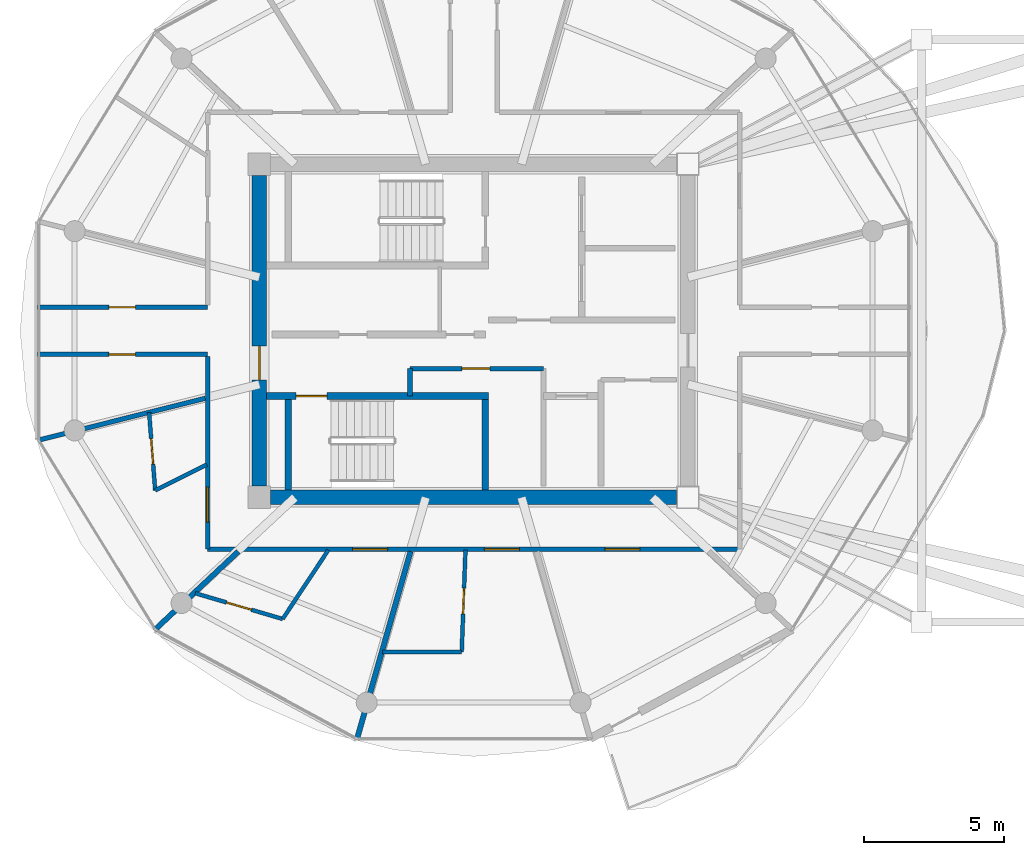
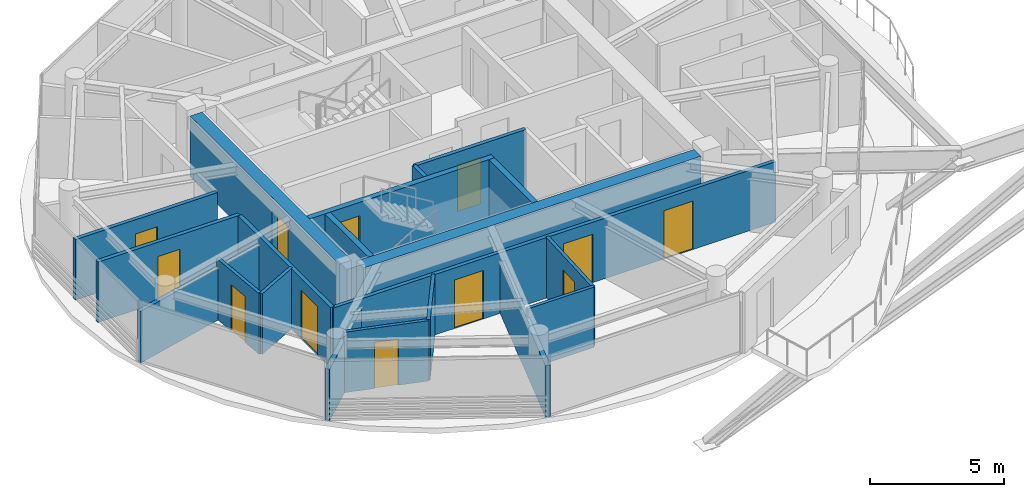
# One storey, part 13 of 23: 20 walls, 12 doors, 12 openings.
"""IFC4 building model written with IfcOpenShell, lengths in metres."""

from ifc_helpers import new_model, si_unit, direction, frame, frame_2d, origin, place, context, subcontext, project, spatial, rectangle, extrude, source, transform, mapped, material, layer, layer_set, type_object, type_shapes, element, fill, save


model = new_model("IFC4")

# Units and contexts
model_context = context("Model", 3, precision=1e-05, world=origin(), true_north=direction((0.0, 1.0)))
body_context = subcontext(model_context, "Body", "Model", "MODEL_VIEW")
ifc_project = project(units=[si_unit("LENGTHUNIT", "METRE"), si_unit("AREAUNIT", "SQUARE_METRE"), si_unit("VOLUMEUNIT", "CUBIC_METRE"), si_unit("PLANEANGLEUNIT", "RADIAN"), si_unit("MASSUNIT", "GRAM", prefix="KILO")], contexts=[model_context])

# Site, building, storey
site_placement = place(None, origin())
site = spatial("IfcSite", under=ifc_project, at=site_placement, CompositionType="ELEMENT")
building_placement = place(site_placement, origin())
building = spatial("IfcBuilding", under=site, at=building_placement, Name="Norrkilde Senior Care Towers", CompositionType="ELEMENT")
storey_placement = place(building_placement, frame((0.0, 0.0, 196.75)))
storey = spatial("IfcBuildingStorey", under=building, at=storey_placement, Name="L61", CompositionType="ELEMENT", Elevation=196.75)

# Wall
ifc_material_1 = material(Name="Concrete C50/60", Category="concrete")
ifc_layer_1 = layer(ifc_material_1, 0.52001953125)
ifc_layer_set_1 = layer_set([ifc_layer_1], Name="Concrete C50/60")
wall_type_1 = type_object("IfcWallType", Name="Core Shear Wall Z4 520", PredefinedType="SHEAR", material=ifc_layer_set_1)
shared_shape_1 = source(origin(), body_context, "Body", "SweptSolid", [
    extrude(rectangle(XDim=14.5, YDim=0.52001953125, at=frame_2d((7.25, 0.0))), origin(), (0.0, 0.0, 1.0), 2.760009765625),
])
wall_1_placement = place(storey_placement, frame((-20.75, -5.949951171875, 0.0), z_axis=(0.0, 0.0, 1.0), x_axis=(-1.0, 0.0, 0.0)))
element("IfcWall", 1, at=wall_1_placement, inside=storey, type_object=wall_type_1, Name="L61 Core W South Shear Wall", PredefinedType="SHEAR", context=body_context, shape_type="MappedRepresentation", body=[
    mapped(shared_shape_1, transform((0.0, 0.0, 0.0), x_axis=(1.0, 0.0, 0.0), y_axis=(0.0, 1.0, 0.0), z_axis=(0.0, 0.0, 1.0), scale=1.0)),
])

# Wall, opening, door
shared_shape_2 = source(origin(), body_context, "Body", "SweptSolid", [
    extrude(rectangle(XDim=11.10009765625, YDim=0.52001953125, at=frame_2d((5.550048828125, 0.0))), origin(), (0.0, 0.0, 1.0), 2.760009765625),
])
type_shapes(wall_type_1, [shared_shape_1, shared_shape_2])
wall_2_placement = place(storey_placement, frame((-35.64990234375, -5.550048828125, 0.0), z_axis=(0.0, 0.0, 1.0), x_axis=(0.0, 1.0, 0.0)))
wall_2 = element("IfcWall", 2, at=wall_2_placement, inside=storey, type_object=wall_type_1, Name="L61 Core W West Shear Wall", PredefinedType="SHEAR", context=body_context, shape_type="MappedRepresentation", body=[
    mapped(shared_shape_2, transform((0.0, 0.0, 0.0), x_axis=(1.0, 0.0, 0.0), y_axis=(0.0, 1.0, 0.0), z_axis=(0.0, 0.0, 1.0), scale=1.0)),
])
opening_1_placement = place(wall_2_placement, frame((3.800048828125, 0.0, 0.0)))
opening_1 = element("IfcOpeningElement", 3, at=opening_1_placement, cuts=wall_2, Name="Opening D-04", PredefinedType="OPENING", context=body_context, shape_type="SweptSolid", body=[
    extrude(rectangle(XDim=1.199951171875, YDim=2.14990234375, at=frame_2d((0.60009765625, 1.074951171875))), frame((0.0, 0.27001953125, 0.0), z_axis=(0.0, -1.0, 0.0), x_axis=(1.0, 0.0, 0.0)), (0.0, 0.0, 1.0), 0.5400390625),
])
ifc_material_2 = material(Name="Galvanised Painted Steel", Category="steel")
door_type_1 = type_object("IfcDoorType", Name="Firefighting Lobby Fire Door 1200x2150", OperationType="NOTDEFINED", PredefinedType="DOOR", material=ifc_material_2)
shared_shape_3 = source(origin(), body_context, "Body", "SweptSolid", [
    extrude(rectangle(XDim=1.199951171875, YDim=2.14990234375, at=frame_2d((0.60009765625, 1.074951171875))), frame((0.0, 0.02490234375, 0.0), z_axis=(0.0, -1.0, 0.0), x_axis=(1.0, 0.0, 0.0)), (0.0, 0.0, 1.0), 0.050048828125),
])
type_shapes(door_type_1, [shared_shape_3])
door_1_placement = place(opening_1_placement, frame((1.199951171875, 0.0, 0.0), z_axis=(0.0, 0.0, 1.0), x_axis=(-1.0, 0.0, 0.0)))
door_1 = element("IfcDoor", 4, at=door_1_placement, inside=storey, type_object=door_type_1, Name="L61 Core W West Portal Door", OperationType="SINGLE_SWING_LEFT", OverallHeight=2.14990234375, OverallWidth=1.199951171875, PredefinedType="DOOR", context=body_context, shape_type="MappedRepresentation", body=[
    mapped(shared_shape_3, transform((0.0, 0.0, 0.0), x_axis=(1.0, 0.0, 0.0), y_axis=(0.0, 1.0, 0.0), z_axis=(0.0, 0.0, 1.0), scale=1.0)),
])
fill(opening_1, door_1)

ifc_material_3 = material(Name="Concrete C45/55", Category="concrete")
ifc_layer_2 = layer(ifc_material_3, 0.239990234375)
ifc_layer_set_2 = layer_set([ifc_layer_2], Name="Concrete C45/55")
wall_type_2 = type_object("IfcWallType", Name="Shaft and Stair Enclosure Wall 240", PredefinedType="PARTITIONING", material=ifc_layer_set_2)
shared_shape_4 = source(origin(), body_context, "Body", "SweptSolid", [
    extrude(rectangle(XDim=7.929931640625, YDim=0.239990234375, at=frame_2d((3.96484375, 0.0))), origin(), (0.0, 0.0, 1.0), 2.760009765625),
])
wall_3_placement = place(storey_placement, frame((-35.389892578125, -2.330078125, 0.0), z_axis=(0.0, 0.0, 1.0), x_axis=(1.0, 0.0, 0.0)))
wall_3 = element("IfcWall", 5, at=wall_3_placement, inside=storey, type_object=wall_type_2, Name="WL-INT-L61-W-ST2N", PredefinedType="PARTITIONING", context=body_context, shape_type="MappedRepresentation", body=[
    mapped(shared_shape_4, transform((0.0, 0.0, 0.0), x_axis=(1.0, 0.0, 0.0), y_axis=(0.0, 1.0, 0.0), z_axis=(0.0, 0.0, 1.0), scale=1.0)),
])
opening_2_placement = place(wall_3_placement, frame((1.050048828125, 0.0, 0.0)))
opening_2 = element("IfcOpeningElement", 6, at=opening_2_placement, cuts=wall_3, Name="Opening D-03", PredefinedType="OPENING", context=body_context, shape_type="SweptSolid", body=[
    extrude(rectangle(XDim=1.10009765625, YDim=2.14990234375, at=frame_2d((0.550048828125, 1.074951171875))), frame((0.0, 0.1298828125, 0.0), z_axis=(0.0, -1.0, 0.0), x_axis=(1.0, 0.0, 0.0)), (0.0, 0.0, 1.0), 0.260009765625),
])
door_type_2 = type_object("IfcDoorType", Name="Stairwell Protected Fire Door 1100x2150", OperationType="NOTDEFINED", PredefinedType="DOOR", material=ifc_material_2)
shared_shape_5 = source(origin(), body_context, "Body", "SweptSolid", [
    extrude(rectangle(XDim=1.10009765625, YDim=2.14990234375, at=frame_2d((0.550048828125, 1.074951171875))), frame((0.0, 0.02490234375, 0.0), z_axis=(0.0, -1.0, 0.0), x_axis=(1.0, 0.0, 0.0)), (0.0, 0.0, 1.0), 0.050048828125),
])
type_shapes(door_type_2, [shared_shape_5])
door_2_placement = place(opening_2_placement, frame((1.10009765625, 0.0, 0.0), z_axis=(0.0, 0.0, 1.0), x_axis=(-1.0, 0.0, 0.0)))
door_2 = element("IfcDoor", 7, at=door_2_placement, inside=storey, type_object=door_type_2, Name="L61 Stair W2 Fire Door", OperationType="SINGLE_SWING_RIGHT", OverallHeight=2.14990234375, OverallWidth=1.10009765625, PredefinedType="DOOR", context=body_context, shape_type="MappedRepresentation", body=[
    mapped(shared_shape_5, transform((0.0, 0.0, 0.0), x_axis=(1.0, 0.0, 0.0), y_axis=(0.0, 1.0, 0.0), z_axis=(0.0, 0.0, 1.0), scale=1.0)),
])
fill(opening_2, door_2)

# Walls
shared_shape_6 = source(origin(), body_context, "Body", "SweptSolid", [
    extrude(rectangle(XDim=3.239990234375, YDim=0.239990234375, at=frame_2d((1.6201171875, 0.0))), origin(), (0.0, 0.0, 1.0), 2.760009765625),
])
type_shapes(wall_type_2, [shared_shape_4, shared_shape_6])
for number, where, z_axis, x_axis, name in (
    (8, (-34.6201171875, -5.68994140625, 0.0), (0.0, 0.0, 1.0), (0.0, 1.0, 0.0), "WL-INT-L61-W-ST2W"),
    (9, (-27.580078125, -5.68994140625, 0.0), (0.0, 0.0, 1.0), (0.0, 1.0, 0.0), "WL-INT-L61-W-ST2E"),
):
    element("IfcWall", number, at=place(storey_placement, frame(where, z_axis=z_axis, x_axis=x_axis)), inside=storey, type_object=wall_type_2, Name=name, PredefinedType="PARTITIONING", context=body_context, shape_type="MappedRepresentation", body=[
        mapped(shared_shape_6, transform((0.0, 0.0, 0.0), x_axis=(1.0, 0.0, 0.0), y_axis=(0.0, 1.0, 0.0), z_axis=(0.0, 0.0, 1.0), scale=1.0)),
    ])

# Wall, opening, door
ifc_material_4 = material(Name="Gypsum Acoustic Board")
ifc_layer_3 = layer(ifc_material_4, 0.1650390625)
ifc_layer_set_3 = layer_set([ifc_layer_3], Name="Gypsum Acoustic Board")
wall_type_3 = type_object("IfcWallType", Name="Corridor Rated Partition 165", PredefinedType="PARTITIONING", material=ifc_layer_set_3)
shared_shape_7 = source(origin(), body_context, "Body", "SweptSolid", [
    extrude(rectangle(XDim=4.77001953125, YDim=0.1650390625, at=frame_2d((2.385009765625, 0.0))), origin(), (0.0, 0.0, 1.0), 2.7451171875),
])
wall_4_placement = place(storey_placement, frame((-30.27001953125, -1.35009765625, 0.0), z_axis=(0.0, 0.0, 1.0), x_axis=(1.0, 0.0, 0.0)))
wall_4 = element("IfcWall", 10, at=wall_4_placement, inside=storey, type_object=wall_type_3, Name="WL-INT-L61-W-FR2N", PredefinedType="PARTITIONING", context=body_context, shape_type="MappedRepresentation", body=[
    mapped(shared_shape_7, transform((0.0, 0.0, 0.0), x_axis=(1.0, 0.0, 0.0), y_axis=(0.0, 1.0, 0.0), z_axis=(0.0, 0.0, 1.0), scale=1.0)),
])
opening_3_placement = place(wall_4_placement, frame((1.85009765625, 0.0, 0.0)))
opening_3 = element("IfcOpeningElement", 11, at=opening_3_placement, cuts=wall_4, Name="Opening D-10", PredefinedType="OPENING", context=body_context, shape_type="SweptSolid", body=[
    extrude(rectangle(XDim=1.0, YDim=2.10009765625, at=frame_2d((0.5, 1.050048828125))), frame((0.0, 0.092529296875, 0.0), z_axis=(0.0, -1.0, 0.0), x_axis=(1.0, 0.0, 0.0)), (0.0, 0.0, 1.0), 0.18505859375),
])
door_type_3 = type_object("IfcDoorType", Name="Plant and Riser Rated Door 1000x2100", OperationType="NOTDEFINED", PredefinedType="DOOR", material=ifc_material_2)
shared_shape_8 = source(origin(), body_context, "Body", "SweptSolid", [
    extrude(rectangle(XDim=1.0, YDim=2.10009765625, at=frame_2d((0.5, 1.050048828125))), frame((0.0, 0.02490234375, 0.0), z_axis=(0.0, -1.0, 0.0), x_axis=(1.0, 0.0, 0.0)), (0.0, 0.0, 1.0), 0.050048828125),
])
type_shapes(door_type_3, [shared_shape_8])
door_3_placement = place(opening_3_placement, origin())
door_3 = element("IfcDoor", 12, at=door_3_placement, inside=storey, type_object=door_type_3, Name="L61 Core Pantry W Door", OperationType="SINGLE_SWING_RIGHT", OverallHeight=2.10009765625, OverallWidth=1.0, PredefinedType="DOOR", context=body_context, shape_type="MappedRepresentation", body=[
    mapped(shared_shape_8, transform((0.0, 0.0, 0.0), x_axis=(1.0, 0.0, 0.0), y_axis=(0.0, 1.0, 0.0), z_axis=(0.0, 0.0, 1.0), scale=1.0)),
])
fill(opening_3, door_3)

# Wall
shared_shape_9 = source(origin(), body_context, "Body", "SweptSolid", [
    extrude(rectangle(XDim=0.97998046875, YDim=0.1650390625, at=frame_2d((0.489990234375, 0.0))), origin(), (0.0, 0.0, 1.0), 2.7451171875),
])
wall_5_placement = place(storey_placement, frame((-30.27001953125, -2.330078125, 0.0), z_axis=(0.0, 0.0, 1.0), x_axis=(0.0, 1.0, 0.0)))
element("IfcWall", 13, at=wall_5_placement, inside=storey, type_object=wall_type_3, Name="WL-INT-L61-W-FR2W", PredefinedType="PARTITIONING", context=body_context, shape_type="MappedRepresentation", body=[
    mapped(shared_shape_9, transform((0.0, 0.0, 0.0), x_axis=(1.0, 0.0, 0.0), y_axis=(0.0, 1.0, 0.0), z_axis=(0.0, 0.0, 1.0), scale=1.0)),
])

# Wall, openings, doors
shared_shape_10 = source(origin(), body_context, "Body", "SweptSolid", [
    extrude(rectangle(XDim=19.0, YDim=0.1650390625, at=frame_2d((9.5, 0.0))), origin(), (0.0, 0.0, 1.0), 2.7451171875),
])
wall_6_placement = place(storey_placement, frame((-18.5, -7.800048828125, 0.0), z_axis=(0.0, 0.0, 1.0), x_axis=(-1.0, 0.0, 0.0)))
wall_6 = element("IfcWall", 14, at=wall_6_placement, inside=storey, type_object=wall_type_3, Name="WL-INT-L61-W-CRW-S-0", PredefinedType="PARTITIONING", context=body_context, shape_type="MappedRepresentation", body=[
    mapped(shared_shape_10, transform((0.0, 0.0, 0.0), x_axis=(1.0, 0.0, 0.0), y_axis=(0.0, 1.0, 0.0), z_axis=(0.0, 0.0, 1.0), scale=1.0)),
])
opening_4_placement = place(wall_6_placement, frame((12.56884765625, 0.0, 0.0)))
opening_4 = element("IfcOpeningElement", 15, at=opening_4_placement, cuts=wall_6, Name="Opening D-05", PredefinedType="OPENING", context=body_context, shape_type="SweptSolid", body=[
    extrude(rectangle(XDim=1.25, YDim=2.199951171875, at=frame_2d((0.625, 1.10009765625))), frame((0.0, 0.092529296875, 0.0), z_axis=(0.0, -1.0, 0.0), x_axis=(1.0, 0.0, 0.0)), (0.0, 0.0, 1.0), 0.18505859375),
])
opening_5_placement = place(wall_6_placement, frame((7.868408203125, 0.0, 0.0)))
opening_5 = element("IfcOpeningElement", 16, at=opening_5_placement, cuts=wall_6, Name="Opening D-05", PredefinedType="OPENING", context=body_context, shape_type="SweptSolid", body=[
    extrude(rectangle(XDim=1.25, YDim=2.199951171875, at=frame_2d((0.625, 1.10009765625))), frame((0.0, 0.092529296875, 0.0), z_axis=(0.0, -1.0, 0.0), x_axis=(1.0, 0.0, 0.0)), (0.0, 0.0, 1.0), 0.18505859375),
])
opening_6_placement = place(wall_6_placement, frame((3.55859375, 0.0, 0.0)))
opening_6 = element("IfcOpeningElement", 17, at=opening_6_placement, cuts=wall_6, Name="Opening D-05", PredefinedType="OPENING", context=body_context, shape_type="SweptSolid", body=[
    extrude(rectangle(XDim=1.25, YDim=2.199951171875, at=frame_2d((0.625, 1.10009765625))), frame((0.0, 0.092529296875, 0.0), z_axis=(0.0, -1.0, 0.0), x_axis=(1.0, 0.0, 0.0)), (0.0, 0.0, 1.0), 0.18505859375),
])
ifc_material_5 = material(Name="Nordic Ash Timber", Category="wood")
door_type_4 = type_object("IfcDoorType", Name="Care Bedroom Bariatric Door 1250x2200", OperationType="NOTDEFINED", PredefinedType="DOOR", material=ifc_material_5)
shared_shape_11 = source(origin(), body_context, "Body", "SweptSolid", [
    extrude(rectangle(XDim=1.25, YDim=2.199951171875, at=frame_2d((0.625, 1.10009765625))), frame((0.0, 0.02490234375, 0.0), z_axis=(0.0, -1.0, 0.0), x_axis=(1.0, 0.0, 0.0)), (0.0, 0.0, 1.0), 0.050048828125),
])
type_shapes(door_type_4, [shared_shape_11])
door_4_placement = place(opening_4_placement, frame((1.25, 0.0, 0.0), z_axis=(0.0, 0.0, 1.0), x_axis=(-1.0, 0.0, 0.0)))
door_4 = element("IfcDoor", 18, at=door_4_placement, inside=storey, type_object=door_type_4, Name="L61 Care Suite 6107 Entrance Door", OperationType="SINGLE_SWING_RIGHT", OverallHeight=2.199951171875, OverallWidth=1.25, PredefinedType="DOOR", context=body_context, shape_type="MappedRepresentation", body=[
    mapped(shared_shape_11, transform((0.0, 0.0, 0.0), x_axis=(1.0, 0.0, 0.0), y_axis=(0.0, 1.0, 0.0), z_axis=(0.0, 0.0, 1.0), scale=1.0)),
])
fill(opening_4, door_4)
door_5_placement = place(opening_5_placement, frame((1.25, 0.0, 0.0), z_axis=(0.0, 0.0, 1.0), x_axis=(-1.0, 0.0, 0.0)))
door_5 = element("IfcDoor", 19, at=door_5_placement, inside=storey, type_object=door_type_4, Name="L61 Care Suite 6108 Entrance Door", OperationType="SINGLE_SWING_LEFT", OverallHeight=2.199951171875, OverallWidth=1.25, PredefinedType="DOOR", context=body_context, shape_type="MappedRepresentation", body=[
    mapped(shared_shape_11, transform((0.0, 0.0, 0.0), x_axis=(1.0, 0.0, 0.0), y_axis=(0.0, 1.0, 0.0), z_axis=(0.0, 0.0, 1.0), scale=1.0)),
])
fill(opening_5, door_5)
door_6_placement = place(opening_6_placement, frame((1.25, 0.0, 0.0), z_axis=(0.0, 0.0, 1.0), x_axis=(-1.0, 0.0, 0.0)))
door_6 = element("IfcDoor", 20, at=door_6_placement, inside=storey, type_object=door_type_4, Name="L61 Household Therapeutic Kitchen Door", OperationType="SINGLE_SWING_RIGHT", OverallHeight=2.199951171875, OverallWidth=1.25, PredefinedType="DOOR", context=body_context, shape_type="MappedRepresentation", body=[
    mapped(shared_shape_11, transform((0.0, 0.0, 0.0), x_axis=(1.0, 0.0, 0.0), y_axis=(0.0, 1.0, 0.0), z_axis=(0.0, 0.0, 1.0), scale=1.0)),
])
fill(opening_6, door_6)

# Wall, opening, door
shared_shape_12 = source(origin(), body_context, "Body", "SweptSolid", [
    extrude(rectangle(XDim=6.880126953125, YDim=0.1650390625, at=frame_2d((3.43994140625, 0.0))), origin(), (0.0, 0.0, 1.0), 2.7451171875),
])
wall_7_placement = place(storey_placement, frame((-37.5, -7.800048828125, 0.0), z_axis=(0.0, 0.0, 1.0), x_axis=(0.0, 1.0, 0.0)))
wall_7 = element("IfcWall", 21, at=wall_7_placement, inside=storey, type_object=wall_type_3, Name="WL-INT-L61-W-CRW-W-0", PredefinedType="PARTITIONING", context=body_context, shape_type="MappedRepresentation", body=[
    mapped(shared_shape_12, transform((0.0, 0.0, 0.0), x_axis=(1.0, 0.0, 0.0), y_axis=(0.0, 1.0, 0.0), z_axis=(0.0, 0.0, 1.0), scale=1.0)),
])
opening_7_placement = place(wall_7_placement, frame((0.96826171875, 0.0, 0.0)))
opening_7 = element("IfcOpeningElement", 22, at=opening_7_placement, cuts=wall_7, Name="Opening D-05", PredefinedType="OPENING", context=body_context, shape_type="SweptSolid", body=[
    extrude(rectangle(XDim=1.25, YDim=2.199951171875, at=frame_2d((0.625, 1.10009765625))), frame((0.0, 0.092529296875, 0.0), z_axis=(0.0, -1.0, 0.0), x_axis=(1.0, 0.0, 0.0)), (0.0, 0.0, 1.0), 0.18505859375),
])
door_7_placement = place(opening_7_placement, frame((1.25, 0.0, 0.0), z_axis=(0.0, 0.0, 1.0), x_axis=(-1.0, 0.0, 0.0)))
door_7 = element("IfcDoor", 23, at=door_7_placement, inside=storey, type_object=door_type_4, Name="L61 Care Suite 6106 Entrance Door", OperationType="SINGLE_SWING_LEFT", OverallHeight=2.199951171875, OverallWidth=1.25, PredefinedType="DOOR", context=body_context, shape_type="MappedRepresentation", body=[
    mapped(shared_shape_11, transform((0.0, 0.0, 0.0), x_axis=(1.0, 0.0, 0.0), y_axis=(0.0, 1.0, 0.0), z_axis=(0.0, 0.0, 1.0), scale=1.0)),
])
fill(opening_7, door_7)

# Wall
shared_shape_13 = source(origin(), body_context, "Body", "SweptSolid", [
    extrude(rectangle(XDim=6.1572265625, YDim=0.1650390625, at=frame_2d((3.07861328125, 0.0))), origin(), (0.0, 0.0, 1.0), 2.344970703125),
])
wall_8_placement = place(storey_placement, frame((-37.580078125, -2.407470703125, 0.0), z_axis=(0.0, 0.0, 1.0), x_axis=(-0.969840867184, -0.243738984038, 0.0)))
element("IfcWall", 24, at=wall_8_placement, inside=storey, type_object=wall_type_3, Name="WL-INT-L61-W-DEM-06-0", PredefinedType="PARTITIONING", context=body_context, shape_type="MappedRepresentation", body=[
    mapped(shared_shape_13, transform((0.0, 0.0, 0.0), x_axis=(1.0, 0.0, 0.0), y_axis=(0.0, 1.0, 0.0), z_axis=(0.0, 0.0, 1.0), scale=1.0)),
])

# Wall, opening, door
shared_shape_14 = source(origin(), body_context, "Body", "SweptSolid", [
    extrude(rectangle(XDim=6.101318359375, YDim=0.1650390625, at=frame_2d((3.05078125, 0.0))), origin(), (0.0, 0.0, 1.0), 2.7451171875),
])
type_shapes(wall_type_3, [shared_shape_7, shared_shape_9, shared_shape_10, shared_shape_12, shared_shape_13, shared_shape_14])
wall_9_placement = place(storey_placement, frame((-43.601318359375, 0.840087890625, 0.0), z_axis=(0.0, 0.0, 1.0), x_axis=(1.0, 0.0, 0.0)))
wall_9 = element("IfcWall", 25, at=wall_9_placement, inside=storey, type_object=wall_type_3, Name="WL-INT-L61-W-SPK-W1-0", PredefinedType="PARTITIONING", context=body_context, shape_type="MappedRepresentation", body=[
    mapped(shared_shape_14, transform((0.0, 0.0, 0.0), x_axis=(1.0, 0.0, 0.0), y_axis=(0.0, 1.0, 0.0), z_axis=(0.0, 0.0, 1.0), scale=1.0)),
])
opening_8_placement = place(wall_9_placement, frame((2.57568359375, 0.0, 0.0)))
opening_8 = element("IfcOpeningElement", 26, at=opening_8_placement, cuts=wall_9, Name="Opening D-07", PredefinedType="OPENING", context=body_context, shape_type="SweptSolid", body=[
    extrude(rectangle(XDim=0.949951171875, YDim=2.10009765625, at=frame_2d((0.47509765625, 1.050048828125))), frame((0.0, 0.092529296875, 0.0), z_axis=(0.0, -1.0, 0.0), x_axis=(1.0, 0.0, 0.0)), (0.0, 0.0, 1.0), 0.18505859375),
])
door_type_5 = type_object("IfcDoorType", Name="Internal Suite Bedroom Door 950x2100", OperationType="NOTDEFINED", PredefinedType="DOOR", material=ifc_material_5)
shared_shape_15 = source(origin(), body_context, "Body", "SweptSolid", [
    extrude(rectangle(XDim=0.949951171875, YDim=2.10009765625, at=frame_2d((0.47509765625, 1.050048828125))), frame((0.0, 0.02490234375, 0.0), z_axis=(0.0, -1.0, 0.0), x_axis=(1.0, 0.0, 0.0)), (0.0, 0.0, 1.0), 0.050048828125),
])
type_shapes(door_type_5, [shared_shape_15])
door_8_placement = place(opening_8_placement, frame((0.949951171875, 0.0, 0.0), z_axis=(0.0, 0.0, 1.0), x_axis=(-1.0, 0.0, 0.0)))
door_8 = element("IfcDoor", 27, at=door_8_placement, inside=storey, type_object=door_type_5, Name="L61 Sun Reading Lounge 2 Door", OperationType="SINGLE_SWING_LEFT", OverallHeight=2.10009765625, OverallWidth=0.949951171875, PredefinedType="DOOR", context=body_context, shape_type="MappedRepresentation", body=[
    mapped(shared_shape_15, transform((0.0, 0.0, 0.0), x_axis=(1.0, 0.0, 0.0), y_axis=(0.0, 1.0, 0.0), z_axis=(0.0, 0.0, 1.0), scale=1.0)),
])
fill(opening_8, door_8)

wall_10_placement = place(storey_placement, frame((-37.5, -0.840087890625, 0.0), z_axis=(0.0, 0.0, 1.0), x_axis=(-1.0, 0.0, 0.0)))
wall_10 = element("IfcWall", 28, at=wall_10_placement, inside=storey, type_object=wall_type_3, Name="WL-INT-L61-W-SPK-W2-0", PredefinedType="PARTITIONING", context=body_context, shape_type="MappedRepresentation", body=[
    mapped(shared_shape_14, transform((0.0, 0.0, 0.0), x_axis=(1.0, 0.0, 0.0), y_axis=(0.0, 1.0, 0.0), z_axis=(0.0, 0.0, 1.0), scale=1.0)),
])
opening_9_placement = place(wall_10_placement, frame((2.57568359375, 0.0, 0.0)))
opening_9 = element("IfcOpeningElement", 29, at=opening_9_placement, cuts=wall_10, Name="Opening D-07", PredefinedType="OPENING", context=body_context, shape_type="SweptSolid", body=[
    extrude(rectangle(XDim=0.949951171875, YDim=2.10009765625, at=frame_2d((0.47509765625, 1.050048828125))), frame((0.0, 0.092529296875, 0.0), z_axis=(0.0, -1.0, 0.0), x_axis=(1.0, 0.0, 0.0)), (0.0, 0.0, 1.0), 0.18505859375),
])
door_9_placement = place(opening_9_placement, frame((0.949951171875, 0.0, 0.0), z_axis=(0.0, 0.0, 1.0), x_axis=(-1.0, 0.0, 0.0)))
door_9 = element("IfcDoor", 30, at=door_9_placement, inside=storey, type_object=door_type_5, Name="L61 Sun Reading Lounge 1 Door", OperationType="SINGLE_SWING_RIGHT", OverallHeight=2.10009765625, OverallWidth=0.949951171875, PredefinedType="DOOR", context=body_context, shape_type="MappedRepresentation", body=[
    mapped(shared_shape_15, transform((0.0, 0.0, 0.0), x_axis=(1.0, 0.0, 0.0), y_axis=(0.0, 1.0, 0.0), z_axis=(0.0, 0.0, 1.0), scale=1.0)),
])
fill(opening_9, door_9)

# Walls
ifc_layer_4 = layer(ifc_material_4, 0.18994140625)
ifc_layer_set_4 = layer_set([ifc_layer_4], Name="Gypsum Acoustic Board")
wall_type_4 = type_object("IfcWallType", Name="Unit Demising Acoustic Wall 190", PredefinedType="PARTITIONING", material=ifc_layer_set_4)
shared_shape_16 = source(origin(), body_context, "Body", "SweptSolid", [
    extrude(rectangle(XDim=4.089111328125, YDim=0.18994140625, at=frame_2d((2.04443359375, 0.0))), origin(), (0.0, 0.0, 1.0), 2.344970703125),
])
wall_11_placement = place(storey_placement, frame((-36.40185546875, -7.8798828125, 0.0), z_axis=(0.0, 0.0, 1.0), x_axis=(-0.729401273609, -0.684086092577, 0.0)))
element("IfcWall", 31, at=wall_11_placement, inside=storey, type_object=wall_type_4, Name="WL-INT-L61-W-DEM-07-0", PredefinedType="PARTITIONING", context=body_context, shape_type="MappedRepresentation", body=[
    mapped(shared_shape_16, transform((0.0, 0.0, 0.0), x_axis=(1.0, 0.0, 0.0), y_axis=(0.0, 1.0, 0.0), z_axis=(0.0, 0.0, 1.0), scale=1.0)),
])
ifc_layer_5 = layer(ifc_material_4, 0.139892578125)
ifc_layer_set_5 = layer_set([ifc_layer_5], Name="Gypsum Acoustic Board")
wall_type_5 = type_object("IfcWallType", Name="En-suite Wet Room Wall 140", PredefinedType="PARTITIONING", material=ifc_layer_set_5)
shared_shape_17 = source(origin(), body_context, "Body", "SweptSolid", [
    extrude(rectangle(XDim=2.059814453125, YDim=0.139892578125, at=frame_2d((1.02978515625, 0.0))), origin(), (0.0, 0.0, 1.0), 2.7451171875),
])
wall_12_placement = place(storey_placement, frame((-37.530029296875, -4.7783203125, 0.0), z_axis=(0.0, 0.0, 1.0), x_axis=(-0.893952568722, -0.448161583444, 0.0)))
element("IfcWall", 32, at=wall_12_placement, inside=storey, type_object=wall_type_5, Name="WL-INT-L61-W-ES-06", PredefinedType="PARTITIONING", context=body_context, shape_type="MappedRepresentation", body=[
    mapped(shared_shape_17, transform((0.0, 0.0, 0.0), x_axis=(1.0, 0.0, 0.0), y_axis=(0.0, 1.0, 0.0), z_axis=(0.0, 0.0, 1.0), scale=1.0)),
])

# Wall, opening, door
shared_shape_18 = source(origin(), body_context, "Body", "SweptSolid", [
    extrude(rectangle(XDim=2.79833984375, YDim=0.139892578125, at=frame_2d((1.399169921875, 0.0))), origin(), (0.0, 0.0, 1.0), 2.7451171875),
])
wall_13_placement = place(storey_placement, frame((-39.371337890625, -5.701416015625, 0.0), z_axis=(0.0, 0.0, 1.0), x_axis=(-0.077823984089, 0.996967114553, 0.0)))
wall_13 = element("IfcWall", 33, at=wall_13_placement, inside=storey, type_object=wall_type_5, Name="WL-INT-L61-W-EF-06", PredefinedType="PARTITIONING", context=body_context, shape_type="MappedRepresentation", body=[
    mapped(shared_shape_18, transform((0.0, 0.0, 0.0), x_axis=(1.0, 0.0, 0.0), y_axis=(0.0, 1.0, 0.0), z_axis=(0.0, 0.0, 1.0), scale=1.0)),
])
opening_10_placement = place(wall_13_placement, frame((0.939208984375, 0.0, 0.0)))
opening_10 = element("IfcOpeningElement", 34, at=opening_10_placement, cuts=wall_13, Name="Opening D-08", PredefinedType="OPENING", context=body_context, shape_type="SweptSolid", body=[
    extrude(rectangle(XDim=0.919921875, YDim=2.10009765625, at=frame_2d((0.4599609375, 1.050048828125))), frame((0.0, 0.079833984375, 0.0), z_axis=(0.0, -1.0, 0.0), x_axis=(1.0, 0.0, 0.0)), (0.0, 0.0, 1.0), 0.159912109375),
])
door_type_6 = type_object("IfcDoorType", Name="Accessible Wet Room Door 920x2100", OperationType="NOTDEFINED", PredefinedType="DOOR", material=ifc_material_5)
shared_shape_19 = source(origin(), body_context, "Body", "SweptSolid", [
    extrude(rectangle(XDim=0.919921875, YDim=2.10009765625, at=frame_2d((0.4599609375, 1.050048828125))), frame((0.0, 0.02490234375, 0.0), z_axis=(0.0, -1.0, 0.0), x_axis=(1.0, 0.0, 0.0)), (0.0, 0.0, 1.0), 0.050048828125),
])
type_shapes(door_type_6, [shared_shape_19])
door_10_placement = place(opening_10_placement, origin())
door_10 = element("IfcDoor", 35, at=door_10_placement, inside=storey, type_object=door_type_6, Name="L61 Care Suite 6106 Bathroom Door", OperationType="SINGLE_SWING_RIGHT", OverallHeight=2.10009765625, OverallWidth=0.919921875, PredefinedType="DOOR", context=body_context, shape_type="MappedRepresentation", body=[
    mapped(shared_shape_19, transform((0.0, 0.0, 0.0), x_axis=(1.0, 0.0, 0.0), y_axis=(0.0, 1.0, 0.0), z_axis=(0.0, 0.0, 1.0), scale=1.0)),
])
fill(opening_10, door_10)

# Walls
shared_shape_20 = source(origin(), body_context, "Body", "SweptSolid", [
    extrude(rectangle(XDim=6.973876953125, YDim=0.18994140625, at=frame_2d((3.48681640625, 0.0))), origin(), (0.0, 0.0, 1.0), 2.344970703125),
])
type_shapes(wall_type_4, [shared_shape_16, shared_shape_20])
wall_14_placement = place(storey_placement, frame((-30.251220703125, -7.8798828125, 0.0), z_axis=(0.0, 0.0, 1.0), x_axis=(-0.274707256801, -0.961527910703, 0.0)))
element("IfcWall", 36, at=wall_14_placement, inside=storey, type_object=wall_type_4, Name="WL-INT-L61-W-DEM-08-0", PredefinedType="PARTITIONING", context=body_context, shape_type="MappedRepresentation", body=[
    mapped(shared_shape_20, transform((0.0, 0.0, 0.0), x_axis=(1.0, 0.0, 0.0), y_axis=(0.0, 1.0, 0.0), z_axis=(0.0, 0.0, 1.0), scale=1.0)),
])
shared_shape_21 = source(origin(), body_context, "Body", "SweptSolid", [
    extrude(rectangle(XDim=2.95263671875, YDim=0.139892578125, at=frame_2d((1.476318359375, 0.0))), origin(), (0.0, 0.0, 1.0), 2.7451171875),
])
wall_15_placement = place(storey_placement, frame((-33.1884765625, -7.830078125, 0.0), z_axis=(0.0, 0.0, 1.0), x_axis=(-0.552427436518, -0.833560991999, 0.0)))
element("IfcWall", 37, at=wall_15_placement, inside=storey, type_object=wall_type_5, Name="WL-INT-L61-W-ES-07", PredefinedType="PARTITIONING", context=body_context, shape_type="MappedRepresentation", body=[
    mapped(shared_shape_21, transform((0.0, 0.0, 0.0), x_axis=(1.0, 0.0, 0.0), y_axis=(0.0, 1.0, 0.0), z_axis=(0.0, 0.0, 1.0), scale=1.0)),
])

# Wall, opening, door
shared_shape_22 = source(origin(), body_context, "Body", "SweptSolid", [
    extrude(rectangle(XDim=3.252197265625, YDim=0.139892578125, at=frame_2d((1.6259765625, 0.0))), origin(), (0.0, 0.0, 1.0), 2.7451171875),
])
wall_16_placement = place(storey_placement, frame((-34.819580078125, -10.291259765625, 0.0), z_axis=(0.0, 0.0, 1.0), x_axis=(-0.959294945864, 0.282406102695, 0.0)))
wall_16 = element("IfcWall", 38, at=wall_16_placement, inside=storey, type_object=wall_type_5, Name="WL-INT-L61-W-EF-07", PredefinedType="PARTITIONING", context=body_context, shape_type="MappedRepresentation", body=[
    mapped(shared_shape_22, transform((0.0, 0.0, 0.0), x_axis=(1.0, 0.0, 0.0), y_axis=(0.0, 1.0, 0.0), z_axis=(0.0, 0.0, 1.0), scale=1.0)),
])
opening_11_placement = place(wall_16_placement, frame((1.166259765625, 0.0, 0.0)))
opening_11 = element("IfcOpeningElement", 39, at=opening_11_placement, cuts=wall_16, Name="Opening D-08", PredefinedType="OPENING", context=body_context, shape_type="SweptSolid", body=[
    extrude(rectangle(XDim=0.919921875, YDim=2.10009765625, at=frame_2d((0.4599609375, 1.050048828125))), frame((0.0, 0.079833984375, 0.0), z_axis=(0.0, -1.0, 0.0), x_axis=(1.0, 0.0, 0.0)), (0.0, 0.0, 1.0), 0.159912109375),
])
door_11_placement = place(opening_11_placement, origin())
door_11 = element("IfcDoor", 40, at=door_11_placement, inside=storey, type_object=door_type_6, Name="L61 Care Suite 6107 Bathroom Door", OperationType="SINGLE_SWING_LEFT", OverallHeight=2.10009765625, OverallWidth=0.919921875, PredefinedType="DOOR", context=body_context, shape_type="MappedRepresentation", body=[
    mapped(shared_shape_19, transform((0.0, 0.0, 0.0), x_axis=(1.0, 0.0, 0.0), y_axis=(0.0, 1.0, 0.0), z_axis=(0.0, 0.0, 1.0), scale=1.0)),
])
fill(opening_11, door_11)

shared_shape_23 = source(origin(), body_context, "Body", "SweptSolid", [
    extrude(rectangle(XDim=3.64599609375, YDim=0.139892578125, at=frame_2d((1.822998046875, 0.0))), origin(), (0.0, 0.0, 1.0), 2.7451171875),
])
wall_17_placement = place(storey_placement, frame((-28.2900390625, -7.830078125, 0.0), z_axis=(0.0, 0.0, 1.0), x_axis=(-0.036962128131, -0.99931666707, 0.0)))
wall_17 = element("IfcWall", 41, at=wall_17_placement, inside=storey, type_object=wall_type_5, Name="WL-INT-L61-W-ES-08", PredefinedType="PARTITIONING", context=body_context, shape_type="MappedRepresentation", body=[
    mapped(shared_shape_23, transform((0.0, 0.0, 0.0), x_axis=(1.0, 0.0, 0.0), y_axis=(0.0, 1.0, 0.0), z_axis=(0.0, 0.0, 1.0), scale=1.0)),
])
opening_12_placement = place(wall_17_placement, frame((1.363037109375, 0.0, 0.0)))
opening_12 = element("IfcOpeningElement", 42, at=opening_12_placement, cuts=wall_17, Name="Opening D-08", PredefinedType="OPENING", context=body_context, shape_type="SweptSolid", body=[
    extrude(rectangle(XDim=0.919921875, YDim=2.10009765625, at=frame_2d((0.4599609375, 1.050048828125))), frame((0.0, 0.079833984375, 0.0), z_axis=(0.0, -1.0, 0.0), x_axis=(1.0, 0.0, 0.0)), (0.0, 0.0, 1.0), 0.159912109375),
])
door_12_placement = place(opening_12_placement, origin())
door_12 = element("IfcDoor", 43, at=door_12_placement, inside=storey, type_object=door_type_6, Name="L61 Care Suite 6108 Bathroom Door", OperationType="SINGLE_SWING_RIGHT", OverallHeight=2.10009765625, OverallWidth=0.919921875, PredefinedType="DOOR", context=body_context, shape_type="MappedRepresentation", body=[
    mapped(shared_shape_19, transform((0.0, 0.0, 0.0), x_axis=(1.0, 0.0, 0.0), y_axis=(0.0, 1.0, 0.0), z_axis=(0.0, 0.0, 1.0), scale=1.0)),
])
fill(opening_12, door_12)

# Wall
shared_shape_24 = source(origin(), body_context, "Body", "SweptSolid", [
    extrude(rectangle(XDim=2.834716796875, YDim=0.139892578125, at=frame_2d((1.41748046875, 0.0))), origin(), (0.0, 0.0, 1.0), 2.7451171875),
])
type_shapes(wall_type_5, [shared_shape_17, shared_shape_18, shared_shape_21, shared_shape_22, shared_shape_23, shared_shape_24])
wall_18_placement = place(storey_placement, frame((-28.4248046875, -11.4736328125, 0.0), z_axis=(0.0, 0.0, 1.0), x_axis=(-0.999999699589, 0.000775126802, 0.0)))
element("IfcWall", 44, at=wall_18_placement, inside=storey, type_object=wall_type_5, Name="WL-INT-L61-W-EF-08", PredefinedType="PARTITIONING", context=body_context, shape_type="MappedRepresentation", body=[
    mapped(shared_shape_24, transform((0.0, 0.0, 0.0), x_axis=(1.0, 0.0, 0.0), y_axis=(0.0, 1.0, 0.0), z_axis=(0.0, 0.0, 1.0), scale=1.0)),
])

save(model, "model.ifc")
